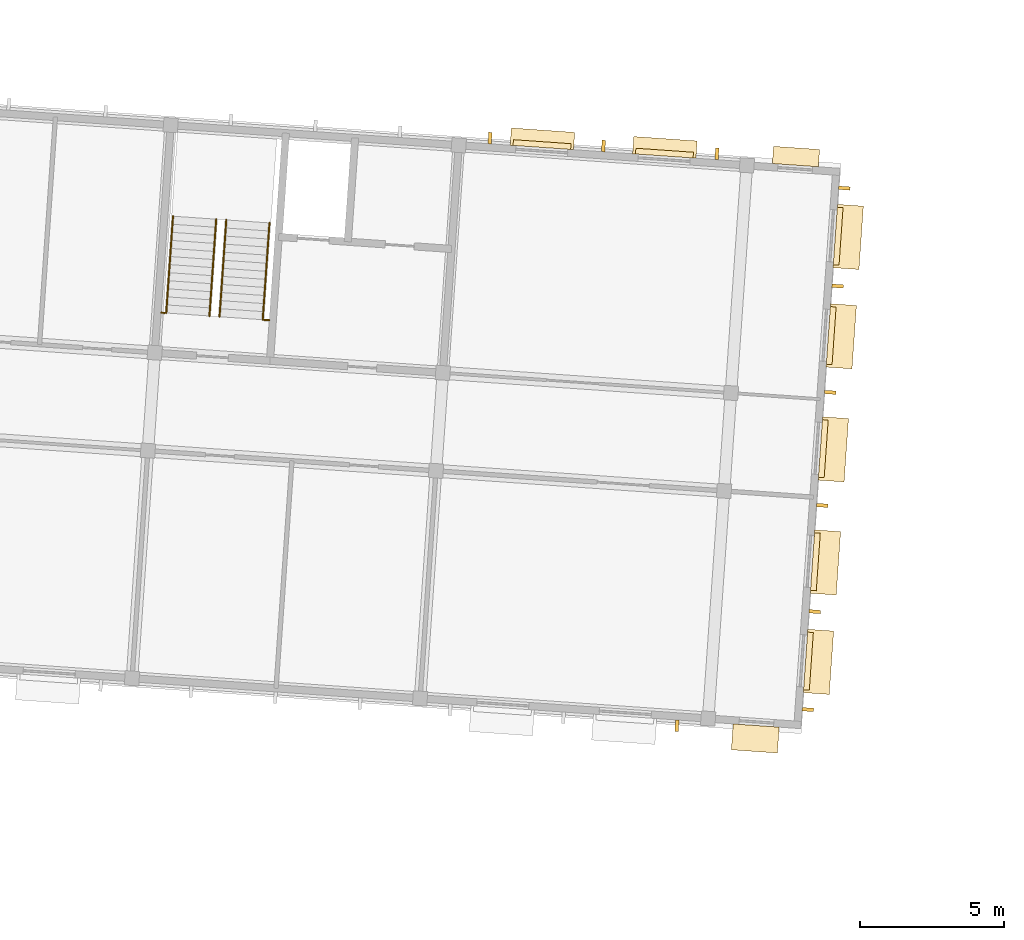
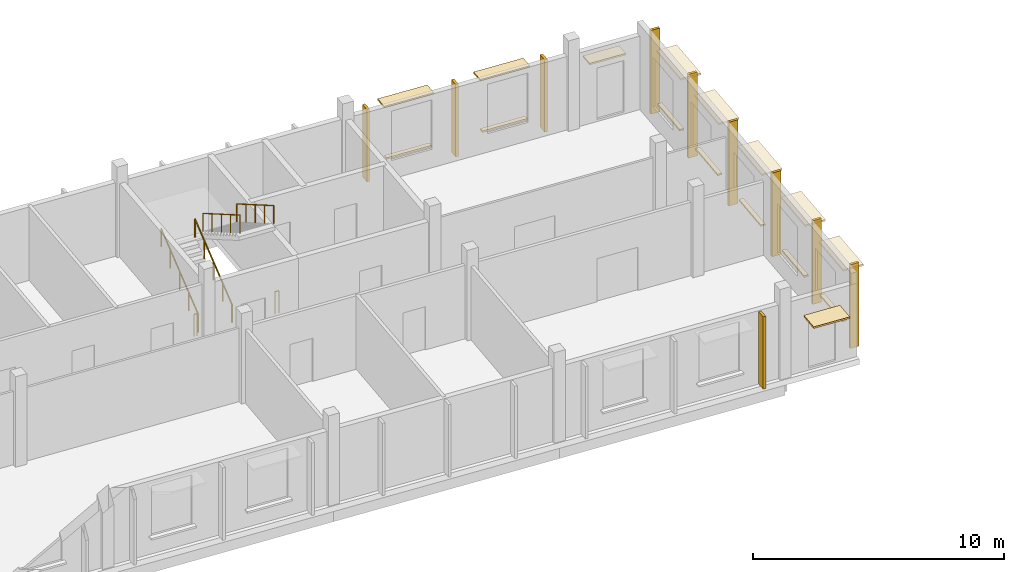
# One storey, part 94 of 95: 16 coverings, 10 shading devices, 6 railings.
"""IFC4 building model written with IfcOpenShell, lengths in metres."""

from ifc_helpers import new_model, si_unit, direction, frame, origin, origin_2d, place, context, subcontext, project, spatial, polyline, circle, outline, extrude, material, layer, layer_set, type_object, element, save


model = new_model("IFC4")

# Units and contexts
model_context = context("Model", 3, precision=1e-05, world=origin(), true_north=direction((0.0, 1.0)))
body_context = subcontext(model_context, "Body", "Model", "MODEL_VIEW")
ifc_project = project(units=[si_unit("LENGTHUNIT", "METRE"), si_unit("AREAUNIT", "SQUARE_METRE"), si_unit("VOLUMEUNIT", "CUBIC_METRE"), si_unit("PLANEANGLEUNIT", "RADIAN"), si_unit("MASSUNIT", "GRAM", prefix="KILO")], contexts=[model_context])

# Site, building, storey
site_placement = place(None, origin())
site = spatial("IfcSite", under=ifc_project, at=site_placement, CompositionType="ELEMENT")
building_placement = place(site_placement, origin())
building = spatial("IfcBuilding", under=site, at=building_placement, Name="Windward Yard Aquatics Centre", CompositionType="ELEMENT")
storey_placement = place(building_placement, frame((0.0, 0.0, 9.39990234375)))
storey = spatial("IfcBuildingStorey", under=building, at=storey_placement, Name="L02", CompositionType="ELEMENT", Elevation=9.39990234375)

# Railings
ifc_material_1 = material(Name="Stainless steel 1.4529", Category="steel")
railing_type_1 = type_object("IfcRailingType", Name="W guard 1100", PredefinedType="GUARDRAIL", material=ifc_material_1)
railing_1_placement = place(storey_placement, frame((148.7763671875, 126.735107421875, 0.0)))
element("IfcRailing", 1, at=railing_1_placement, inside=storey, type_object=railing_type_1, Name="W.GS.E.L02.1", PredefinedType="GUARDRAIL", context=body_context, shape_type="SweptSolid", body=[
    extrude(circle(Radius=0.02392578125, at=origin_2d()), frame((0.0, 0.0, 1.076171875), z_axis=(0.997662565173, -0.068333052409, 0.0), x_axis=(0.068333052409, 0.997662565173, 0.0)), (0.0, 0.0, 1.0), 0.125),
    extrude(circle(Radius=0.02099609375, at=origin_2d()), origin(), (0.0, 0.0, 1.0), 1.052001953125),
    extrude(circle(Radius=0.02099609375, at=origin_2d()), frame((0.124755859375, -0.008544921875, 0.0)), (0.0, 0.0, 1.0), 1.052001953125),
])
railing_2_placement = place(storey_placement, frame((152.3427734375, 126.48583984375, 0.0)))
element("IfcRailing", 2, at=railing_2_placement, inside=storey, type_object=railing_type_1, Name="W.GS.E.L02.2", PredefinedType="GUARDRAIL", context=body_context, shape_type="SweptSolid", body=[
    extrude(circle(Radius=0.02392578125, at=origin_2d()), frame((0.0, 0.0, 1.076171875), z_axis=(0.997563824095, -0.069759707979, 0.0), x_axis=(0.069759707979, 0.997563824095, 0.0)), (0.0, 0.0, 1.0), 0.175048828125),
    extrude(circle(Radius=0.02099609375, at=origin_2d()), origin(), (0.0, 0.0, 1.0), 1.052001953125),
    extrude(circle(Radius=0.02099609375, at=origin_2d()), frame((0.174560546875, -0.01220703125, 0.0)), (0.0, 0.0, 1.0), 1.052001953125),
])
ifc_material_2 = material(Name="Stainless steel 1.4401", Category="steel")
railing_type_2 = type_object("IfcRailingType", Name="W handrail 900", PredefinedType="HANDRAIL", material=ifc_material_2)
for number, where, name in (
    (3, (148.950927734375, 126.722900390625, 0.169189453125), "W.HR.E.L02.1L"),
    (4, (150.447265625, 126.618408203125, 0.169189453125), "W.HR.E.L02.1R"),
):
    element("IfcRailing", number, at=place(storey_placement, frame(where)), inside=storey, type_object=railing_type_2, Name=name, PredefinedType="HANDRAIL", context=body_context, shape_type="SweptSolid", body=[
        extrude(circle(Radius=0.02392578125, at=origin_2d()), frame((0.0, 0.0, 0.8759765625), z_axis=(0.059696136281, 0.853716932293, 0.51730433096), x_axis=(-0.997564177681, 0.06975465151, 0.0)), (0.0, 0.0, 1.0), 3.926025390625),
        extrude(circle(Radius=0.02099609375, at=origin_2d()), origin(), (0.0, 0.0, 1.0), 0.851806640625),
        extrude(circle(Radius=0.02099609375, at=origin_2d()), frame((0.05859375, 0.837890625, 0.5078125)), (0.0, 0.0, 1.0), 0.851806640625),
        extrude(circle(Radius=0.02099609375, at=origin_2d()), frame((0.1171875, 1.67578125, 1.015625)), (0.0, 0.0, 1.0), 0.851806640625),
        extrude(circle(Radius=0.02099609375, at=origin_2d()), frame((0.17578125, 2.513916015625, 1.523193359375)), (0.0, 0.0, 1.0), 0.851806640625),
        extrude(circle(Radius=0.02099609375, at=origin_2d()), frame((0.234375, 3.351806640625, 2.031005859375)), (0.0, 0.0, 1.0), 0.851806640625),
    ])
for number, where, name in (
    (5, (151.03076171875, 129.94580078125, 2.369384765625), "W.HR.E.L02.2L"),
    (6, (152.527099609375, 129.841064453125, 2.369384765625), "W.HR.E.L02.2R"),
):
    element("IfcRailing", number, at=place(storey_placement, frame(where)), inside=storey, type_object=railing_type_2, Name=name, PredefinedType="HANDRAIL", context=body_context, shape_type="SweptSolid", body=[
        extrude(circle(Radius=0.02392578125, at=origin_2d()), frame((0.0, 0.0, 0.8759765625), z_axis=(-0.05969805655, -0.853744394147, 0.517258785819), x_axis=(0.997564177681, -0.06975465151, 0.0)), (0.0, 0.0, 1.0), 3.926025390625),
        extrude(circle(Radius=0.02099609375, at=origin_2d()), origin(), (0.0, 0.0, 1.0), 0.851806640625),
        extrude(circle(Radius=0.02099609375, at=origin_2d()), frame((-0.05859375, -0.837890625, 0.5078125)), (0.0, 0.0, 1.0), 0.851806640625),
        extrude(circle(Radius=0.02099609375, at=origin_2d()), frame((-0.1171875, -1.67578125, 1.015380859375)), (0.0, 0.0, 1.0), 0.851806640625),
        extrude(circle(Radius=0.02099609375, at=origin_2d()), frame((-0.17578125, -2.513916015625, 1.52294921875)), (0.0, 0.0, 1.0), 0.851806640625),
        extrude(circle(Radius=0.02099609375, at=origin_2d()), frame((-0.234375, -3.351806640625, 2.03076171875)), (0.0, 0.0, 1.0), 0.851806640625),
    ])

# Shading devices
ifc_material_3 = material(Name="Timber-look aluminium batten, powder coated", Category="wood")
shading_device_type = type_object("IfcShadingDeviceType", Name="W vertical fin 120x400", PredefinedType="USERDEFINED", material=ifc_material_3)
shading_device_1_placement = place(storey_placement, origin())
element("IfcShadingDevice", 7, at=shading_device_1_placement, inside=storey, type_object=shading_device_type, Name="Vertical fin W.FW.L02.E.0.3.1.1", ObjectType="FIN", PredefinedType="USERDEFINED", context=body_context, shape_type="SweptSolid", body=[
    extrude(outline(polyline([(170.968505859375, 112.943603515625), (170.976806640625, 113.063232421875), (171.375732421875, 113.035400390625), (171.367431640625, 112.915771484375), (170.968505859375, 112.943603515625)])), origin(), (0.0, 0.0, 1.0), 4.070068359375),
])
shading_device_2_placement = place(storey_placement, origin())
element("IfcShadingDevice", 8, at=shading_device_2_placement, inside=storey, type_object=shading_device_type, Name="Vertical fin W.FW.L02.E.0.3.2.1", ObjectType="FIN", PredefinedType="USERDEFINED", context=body_context, shape_type="SweptSolid", body=[
    extrude(outline(polyline([(171.20556640625, 116.335205078125), (171.2138671875, 116.455078125), (171.613037109375, 116.427001953125), (171.6044921875, 116.307373046875), (171.20556640625, 116.335205078125)])), origin(), (0.0, 0.0, 1.0), 4.070068359375),
])
shading_device_3_placement = place(storey_placement, origin())
element("IfcShadingDevice", 9, at=shading_device_3_placement, inside=storey, type_object=shading_device_type, Name="Vertical fin W.FW.L02.E.0.3.3.1", ObjectType="FIN", PredefinedType="USERDEFINED", context=body_context, shape_type="SweptSolid", body=[
    extrude(outline(polyline([(171.462890625, 120.013916015625), (171.47119140625, 120.133544921875), (171.8701171875, 120.105712890625), (171.86181640625, 119.98583984375), (171.462890625, 120.013916015625)])), origin(), (0.0, 0.0, 1.0), 4.070068359375),
])
shading_device_4_placement = place(storey_placement, origin())
element("IfcShadingDevice", 10, at=shading_device_4_placement, inside=storey, type_object=shading_device_type, Name="Vertical fin W.FW.L02.E.0.3.4.1", ObjectType="FIN", PredefinedType="USERDEFINED", context=body_context, shape_type="SweptSolid", body=[
    extrude(outline(polyline([(171.736572265625, 123.92919921875), (171.7451171875, 124.049072265625), (172.14404296875, 124.02099609375), (172.135498046875, 123.9013671875), (171.736572265625, 123.92919921875)])), origin(), (0.0, 0.0, 1.0), 4.070068359375),
])
shading_device_5_placement = place(storey_placement, origin())
element("IfcShadingDevice", 11, at=shading_device_5_placement, inside=storey, type_object=shading_device_type, Name="Vertical fin W.FW.L02.E.0.3.5.1", ObjectType="FIN", PredefinedType="USERDEFINED", context=body_context, shape_type="SweptSolid", body=[
    extrude(outline(polyline([(171.993896484375, 127.60791015625), (172.002197265625, 127.7275390625), (172.401123046875, 127.69970703125), (172.392822265625, 127.579833984375), (171.993896484375, 127.60791015625)])), origin(), (0.0, 0.0, 1.0), 4.070068359375),
])
shading_device_6_placement = place(storey_placement, origin())
element("IfcShadingDevice", 12, at=shading_device_6_placement, inside=storey, type_object=shading_device_type, Name="Vertical fin W.FW.L02.E.0.3.6.1", ObjectType="FIN", PredefinedType="USERDEFINED", context=body_context, shape_type="SweptSolid", body=[
    extrude(outline(polyline([(172.23095703125, 130.99951171875), (172.239501953125, 131.119140625), (172.638427734375, 131.09130859375), (172.6298828125, 130.9716796875), (172.23095703125, 130.99951171875)])), origin(), (0.0, 0.0, 1.0), 4.070068359375),
])
shading_device_7_placement = place(storey_placement, origin())
element("IfcShadingDevice", 13, at=shading_device_7_placement, inside=storey, type_object=shading_device_type, Name="Vertical fin W.FW.L02.N.86.8.1.1", ObjectType="FIN", PredefinedType="USERDEFINED", context=body_context, shape_type="SweptSolid", body=[
    extrude(outline(polyline([(160.089599609375, 132.585205078125), (160.209228515625, 132.576904296875), (160.237060546875, 132.97607421875), (160.117431640625, 132.984375), (160.089599609375, 132.585205078125)])), origin(), (0.0, 0.0, 1.0), 3.52001953125),
])
shading_device_8_placement = place(storey_placement, origin())
element("IfcShadingDevice", 14, at=shading_device_8_placement, inside=storey, type_object=shading_device_type, Name="Vertical fin W.FW.L02.N.86.8.2.1", ObjectType="FIN", PredefinedType="USERDEFINED", context=body_context, shape_type="SweptSolid", body=[
    extrude(outline(polyline([(164.017333984375, 132.310546875), (164.13720703125, 132.30224609375), (164.1650390625, 132.701416015625), (164.04541015625, 132.709716796875), (164.017333984375, 132.310546875)])), origin(), (0.0, 0.0, 1.0), 3.52001953125),
])
shading_device_9_placement = place(storey_placement, origin())
element("IfcShadingDevice", 15, at=shading_device_9_placement, inside=storey, type_object=shading_device_type, Name="Vertical fin W.FW.L02.N.86.8.3.1", ObjectType="FIN", PredefinedType="USERDEFINED", context=body_context, shape_type="SweptSolid", body=[
    extrude(outline(polyline([(167.9453125, 132.035888671875), (168.06494140625, 132.027587890625), (168.093017578125, 132.426513671875), (167.97314453125, 132.43505859375), (167.9453125, 132.035888671875)])), origin(), (0.0, 0.0, 1.0), 3.52001953125),
])
shading_device_10_placement = place(storey_placement, origin())
element("IfcShadingDevice", 16, at=shading_device_10_placement, inside=storey, type_object=shading_device_type, Name="Vertical fin W.FW.L02.S.86.8.3.1", ObjectType="FIN", PredefinedType="USERDEFINED", context=body_context, shape_type="SweptSolid", body=[
    extrude(outline(polyline([(166.560791015625, 112.234130859375), (166.588623046875, 112.63330078125), (166.708251953125, 112.625), (166.680419921875, 112.225830078125), (166.560791015625, 112.234130859375)])), origin(), (0.0, 0.0, 1.0), 3.52001953125),
])

# Coverings
ifc_material_4 = material(Name="Aluminium composite hood, powder coated", Category="aluminium")
ifc_layer_1 = layer(ifc_material_4, 0.080078125)
ifc_layer_set_1 = layer_set([ifc_layer_1], Name="W window hood aluminium 1600x600")
covering_type_1 = type_object("IfcCoveringType", Name="W window hood aluminium 1600x600", PredefinedType="CLADDING", material=ifc_layer_set_1)
covering_1_placement = place(storey_placement, frame((0.0, 0.0, 2.650146484375)))
element("IfcCovering", 17, at=covering_1_placement, inside=storey, type_object=covering_type_1, Name="Window hood W2513", PredefinedType="CLADDING", context=body_context, shape_type="SweptSolid", body=[
    extrude(outline(polyline([(169.93798828125, 131.896484375), (171.5341796875, 131.784912109375), (171.575927734375, 132.383544921875), (169.979736328125, 132.4951171875), (169.93798828125, 131.896484375)])), origin(), (0.0, 0.0, 1.0), 0.079833984375),
])
ifc_layer_2 = layer(ifc_material_4, 0.080078125)
ifc_layer_set_2 = layer_set([ifc_layer_2], Name="W window hood aluminium 1600x900")
covering_type_2 = type_object("IfcCoveringType", Name="W window hood aluminium 1600x900", PredefinedType="CLADDING", material=ifc_layer_set_2)
covering_2_placement = place(storey_placement, frame((0.0, 0.0, 2.650146484375)))
element("IfcCovering", 18, at=covering_2_placement, inside=storey, type_object=covering_type_2, Name="Window hood W2507", PredefinedType="CLADDING", context=body_context, shape_type="SweptSolid", body=[
    extrude(outline(polyline([(168.518310546875, 111.59619140625), (168.581298828125, 112.493896484375), (170.177490234375, 112.38232421875), (170.114501953125, 111.484619140625), (168.518310546875, 111.59619140625)])), origin(), (0.0, 0.0, 1.0), 0.079833984375),
])
ifc_layer_3 = layer(ifc_material_4, 0.080078125)
ifc_layer_set_3 = layer_set([ifc_layer_3], Name="W window hood aluminium 2200x600")
covering_type_3 = type_object("IfcCoveringType", Name="W window hood aluminium 2200x600", PredefinedType="CLADDING", material=ifc_layer_set_3)
covering_3_placement = place(storey_placement, frame((0.0, 0.0, 3.35009765625)))
element("IfcCovering", 19, at=covering_3_placement, inside=storey, type_object=covering_type_3, Name="Window hood W2511", PredefinedType="CLADDING", context=body_context, shape_type="SweptSolid", body=[
    extrude(outline(polyline([(160.860107421875, 132.531494140625), (163.0546875, 132.3779296875), (163.0966796875, 132.9765625), (160.902099609375, 133.1298828125), (160.860107421875, 132.531494140625)])), origin(), (0.0, 0.0, 1.0), 0.080078125),
])
covering_4_placement = place(storey_placement, frame((0.0, 0.0, 3.35009765625)))
element("IfcCovering", 20, at=covering_4_placement, inside=storey, type_object=covering_type_3, Name="Window hood W2512", PredefinedType="CLADDING", context=body_context, shape_type="SweptSolid", body=[
    extrude(outline(polyline([(165.099853515625, 132.23486328125), (167.29443359375, 132.08154296875), (167.336181640625, 132.679931640625), (165.1416015625, 132.83349609375), (165.099853515625, 132.23486328125)])), origin(), (0.0, 0.0, 1.0), 0.080078125),
])
ifc_layer_4 = layer(ifc_material_4, 0.080078125)
ifc_layer_set_4 = layer_set([ifc_layer_4], Name="W window hood aluminium 2200x900")
covering_type_4 = type_object("IfcCoveringType", Name="W window hood aluminium 2200x900", PredefinedType="CLADDING", material=ifc_layer_set_4)
covering_5_placement = place(storey_placement, frame((0.0, 0.0, 3.35009765625)))
element("IfcCovering", 21, at=covering_5_placement, inside=storey, type_object=covering_type_4, Name="Window hood W2519", PredefinedType="CLADDING", context=body_context, shape_type="SweptSolid", body=[
    extrude(outline(polyline([(171.0126953125, 113.576904296875), (171.166259765625, 115.771728515625), (172.06396484375, 115.708984375), (171.910400390625, 113.514404296875), (171.0126953125, 113.576904296875)])), origin(), (0.0, 0.0, 1.0), 0.080078125),
])
covering_6_placement = place(storey_placement, frame((0.0, 0.0, 3.35009765625)))
element("IfcCovering", 22, at=covering_6_placement, inside=storey, type_object=covering_type_4, Name="Window hood W2520", PredefinedType="CLADDING", context=body_context, shape_type="SweptSolid", body=[
    extrude(outline(polyline([(171.25341796875, 117.0185546875), (171.40673828125, 119.21337890625), (172.3046875, 119.150390625), (172.151123046875, 116.955810546875), (171.25341796875, 117.0185546875)])), origin(), (0.0, 0.0, 1.0), 0.080078125),
])
covering_7_placement = place(storey_placement, frame((0.0, 0.0, 3.35009765625)))
element("IfcCovering", 23, at=covering_7_placement, inside=storey, type_object=covering_type_4, Name="Window hood W2521", PredefinedType="CLADDING", context=body_context, shape_type="SweptSolid", body=[
    extrude(outline(polyline([(171.527099609375, 120.93408203125), (171.6806640625, 123.128662109375), (172.578369140625, 123.06591796875), (172.425048828125, 120.871337890625), (171.527099609375, 120.93408203125)])), origin(), (0.0, 0.0, 1.0), 0.080078125),
])
covering_8_placement = place(storey_placement, frame((0.0, 0.0, 3.35009765625)))
element("IfcCovering", 24, at=covering_8_placement, inside=storey, type_object=covering_type_4, Name="Window hood W2522", PredefinedType="CLADDING", context=body_context, shape_type="SweptSolid", body=[
    extrude(outline(polyline([(171.801025390625, 124.849609375), (171.954345703125, 127.044189453125), (172.852294921875, 126.9814453125), (172.69873046875, 124.78662109375), (171.801025390625, 124.849609375)])), origin(), (0.0, 0.0, 1.0), 0.080078125),
])
covering_9_placement = place(storey_placement, frame((0.0, 0.0, 3.35009765625)))
element("IfcCovering", 25, at=covering_9_placement, inside=storey, type_object=covering_type_4, Name="Window hood W2523", PredefinedType="CLADDING", context=body_context, shape_type="SweptSolid", body=[
    extrude(outline(polyline([(172.04150390625, 128.291015625), (172.195068359375, 130.485595703125), (173.093017578125, 130.423095703125), (172.939453125, 128.228271484375), (172.04150390625, 128.291015625)])), origin(), (0.0, 0.0, 1.0), 0.080078125),
])
ifc_material_5 = material(Name="Limestone sill", Category="masonry")
ifc_layer_5 = layer(ifc_material_5, 0.080078125)
ifc_layer_set_5 = layer_set([ifc_layer_5], Name="W window sill stone 2000x200")
covering_type_5 = type_object("IfcCoveringType", Name="W window sill stone 2000x200", PredefinedType="CLADDING", material=ifc_layer_set_5)
covering_10_placement = place(storey_placement, frame((0.0, 0.0, 0.820068359375)))
element("IfcCovering", 26, at=covering_10_placement, inside=storey, type_object=covering_type_5, Name="Window sill W2519", PredefinedType="CLADDING", context=body_context, shape_type="SweptSolid", body=[
    extrude(outline(polyline([(171.019775390625, 113.6767578125), (171.1591796875, 115.671875), (171.358642578125, 115.657958984375), (171.21923828125, 113.662841796875), (171.019775390625, 113.6767578125)])), origin(), (0.0, 0.0, 1.0), 0.080078125),
])
covering_11_placement = place(storey_placement, frame((0.0, 0.0, 0.820068359375)))
element("IfcCovering", 27, at=covering_11_placement, inside=storey, type_object=covering_type_5, Name="Window sill W2520", PredefinedType="CLADDING", context=body_context, shape_type="SweptSolid", body=[
    extrude(outline(polyline([(171.26025390625, 117.118408203125), (171.39990234375, 119.113525390625), (171.599365234375, 119.099609375), (171.459716796875, 117.1044921875), (171.26025390625, 117.118408203125)])), origin(), (0.0, 0.0, 1.0), 0.080078125),
])
covering_12_placement = place(storey_placement, frame((0.0, 0.0, 0.820068359375)))
element("IfcCovering", 28, at=covering_12_placement, inside=storey, type_object=covering_type_5, Name="Window sill W2521", PredefinedType="CLADDING", context=body_context, shape_type="SweptSolid", body=[
    extrude(outline(polyline([(171.5341796875, 121.03369140625), (171.673583984375, 123.029052734375), (171.873291015625, 123.014892578125), (171.733642578125, 121.02001953125), (171.5341796875, 121.03369140625)])), origin(), (0.0, 0.0, 1.0), 0.080078125),
])
covering_13_placement = place(storey_placement, frame((0.0, 0.0, 0.820068359375)))
element("IfcCovering", 29, at=covering_13_placement, inside=storey, type_object=covering_type_5, Name="Window sill W2522", PredefinedType="CLADDING", context=body_context, shape_type="SweptSolid", body=[
    extrude(outline(polyline([(171.807861328125, 124.94921875), (171.947509765625, 126.9443359375), (172.14697265625, 126.930419921875), (172.007568359375, 124.935302734375), (171.807861328125, 124.94921875)])), origin(), (0.0, 0.0, 1.0), 0.080078125),
])
covering_14_placement = place(storey_placement, frame((0.0, 0.0, 0.820068359375)))
element("IfcCovering", 30, at=covering_14_placement, inside=storey, type_object=covering_type_5, Name="Window sill W2523", PredefinedType="CLADDING", context=body_context, shape_type="SweptSolid", body=[
    extrude(outline(polyline([(172.048583984375, 128.390869140625), (172.18798828125, 130.385986328125), (172.3876953125, 130.3720703125), (172.248046875, 128.376953125), (172.048583984375, 128.390869140625)])), origin(), (0.0, 0.0, 1.0), 0.080078125),
])
covering_15_placement = place(storey_placement, frame((0.0, 0.0, 0.820068359375)))
element("IfcCovering", 31, at=covering_15_placement, inside=storey, type_object=covering_type_5, Name="Window sill W2511", PredefinedType="CLADDING", context=body_context, shape_type="SweptSolid", body=[
    extrude(outline(polyline([(160.9599609375, 132.5244140625), (162.955078125, 132.385009765625), (162.968994140625, 132.58447265625), (160.973876953125, 132.72412109375), (160.9599609375, 132.5244140625)])), origin(), (0.0, 0.0, 1.0), 0.080078125),
])
covering_16_placement = place(storey_placement, frame((0.0, 0.0, 0.820068359375)))
element("IfcCovering", 32, at=covering_16_placement, inside=storey, type_object=covering_type_5, Name="Window sill W2512", PredefinedType="CLADDING", context=body_context, shape_type="SweptSolid", body=[
    extrude(outline(polyline([(165.199462890625, 132.22802734375), (167.194580078125, 132.08837890625), (167.20849609375, 132.2880859375), (165.21337890625, 132.427490234375), (165.199462890625, 132.22802734375)])), origin(), (0.0, 0.0, 1.0), 0.080078125),
])

save(model, "model.ifc")
